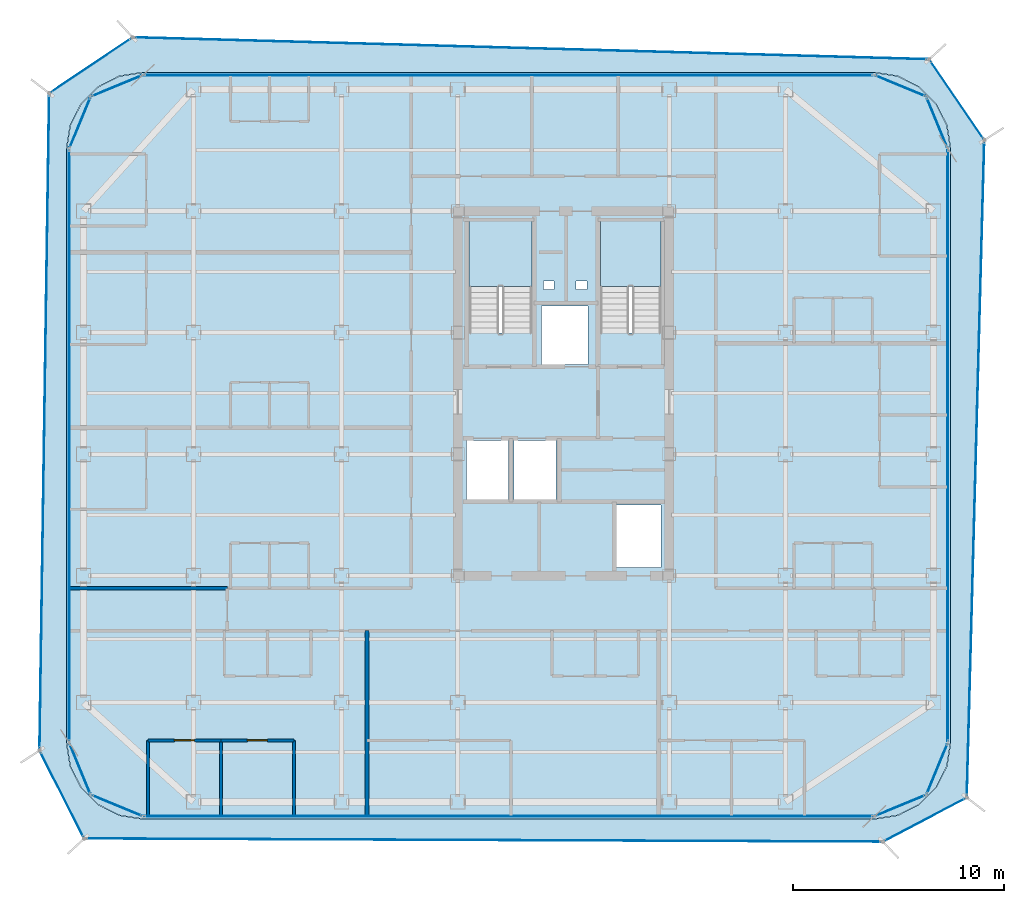
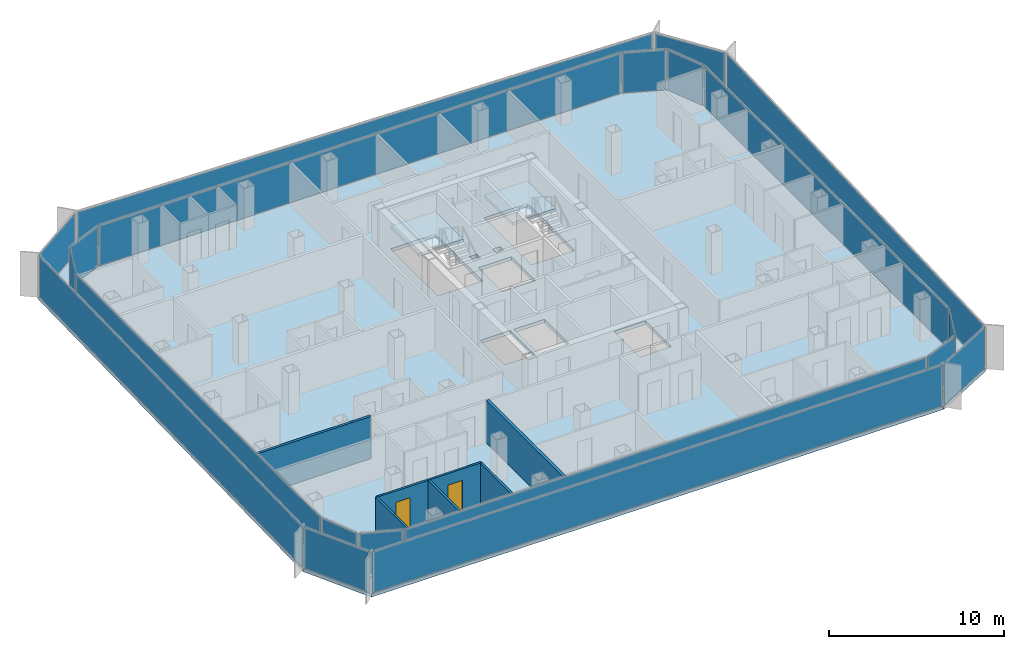
# One storey, part 9 of 16: 20 plates, 7 walls, 4 slabs, 2 doors, 2 openings, 22 elements without a shape of their own.
"""IFC4 building model written with IfcOpenShell, lengths in metres."""

from ifc_helpers import new_model, si_unit, direction, frame, frame_2d, origin, origin_2d, place, context, subcontext, project, spatial, polyline, rectangle, outline, extrude, source, transform, mapped, material, layer, layer_set, type_object, element, fill, aggregate, save


model = new_model("IFC4")

# Units and contexts
model_context = context("Model", 3, precision=1e-05, world=origin(), true_north=direction((0.0, 1.0)))
body_context = subcontext(model_context, "Body", "Model", "MODEL_VIEW")
ifc_project = project(units=[si_unit("LENGTHUNIT", "METRE"), si_unit("AREAUNIT", "SQUARE_METRE"), si_unit("VOLUMEUNIT", "CUBIC_METRE"), si_unit("PLANEANGLEUNIT", "RADIAN"), si_unit("MASSUNIT", "GRAM", prefix="KILO")], contexts=[model_context])

# Site, building, storey
site_placement = place(None, origin())
site = spatial("IfcSite", under=ifc_project, at=site_placement, CompositionType="ELEMENT")
building_placement = place(site_placement, origin())
building = spatial("IfcBuilding", under=site, at=building_placement, Name="Kolveth Station Tower", CompositionType="ELEMENT")
storey_placement = place(building_placement, frame((0.0, 0.0, 159.300048828125)))
storey = spatial("IfcBuildingStorey", under=building, at=storey_placement, Name="L44", CompositionType="ELEMENT", Elevation=159.300048828125)

# Slab
ifc_material_1 = material(Name="Concrete C40/50", Category="concrete")
ifc_layer_1 = layer(ifc_material_1, 0.25)
ifc_layer_set_1 = layer_set([ifc_layer_1], Name="Concrete C40/50")
slab_type_1 = type_object("IfcSlabType", Name="Slab_SF-250", PredefinedType="FLOOR", material=ifc_layer_set_1)
slab_1_placement = place(storey_placement, frame((0.0, 0.0, -0.25)))
element("IfcSlab", 1, at=slab_1_placement, inside=storey, type_object=slab_type_1, Name="L44 Tower Structural Floor Slab", PredefinedType="FLOOR", context=body_context, shape_type="SweptSolid", body=[
    extrude(outline(polyline([(38.199951171875, 0.0), (39.3125, 0.17626953125), (40.31591796875, 0.6875), (41.112548828125, 1.48388671875), (41.623779296875, 2.487548828125), (41.800048828125, 3.60009765625), (41.800048828125, 31.699951171875), (41.623779296875, 32.8125), (41.112548828125, 33.81591796875), (40.31591796875, 34.612548828125), (39.3125, 35.123779296875), (38.199951171875, 35.300048828125), (3.60009765625, 35.300048828125), (2.487548828125, 35.123779296875), (1.48388671875, 34.612548828125), (0.6875, 33.81591796875), (0.17626953125, 32.8125), (0.0, 31.699951171875), (0.0, 3.60009765625), (0.17626953125, 2.487548828125), (0.6875, 1.48388671875), (1.48388671875, 0.6875), (2.487548828125, 0.17626953125), (3.60009765625, 0.0), (38.199951171875, 0.0)]), holes=[polyline([(19.0400390625, 22.985107421875), (22.0, 22.985107421875), (22.0, 28.39990234375), (19.0400390625, 28.39990234375), (19.0400390625, 22.985107421875)]), polyline([(25.239990234375, 22.985107421875), (28.10009765625, 22.985107421875), (28.10009765625, 28.39990234375), (25.239990234375, 28.39990234375), (25.239990234375, 22.985107421875)]), polyline([(18.89990234375, 15.10009765625), (20.89990234375, 15.10009765625), (20.89990234375, 17.89990234375), (18.89990234375, 17.89990234375), (18.89990234375, 15.10009765625)]), polyline([(21.14990234375, 15.10009765625), (23.14990234375, 15.10009765625), (23.14990234375, 17.89990234375), (21.14990234375, 17.89990234375), (21.14990234375, 15.10009765625)]), polyline([(22.449951171875, 21.5), (24.64990234375, 21.5), (24.64990234375, 24.25), (22.449951171875, 24.25), (22.449951171875, 21.5)]), polyline([(26.0, 11.89990234375), (28.10009765625, 11.89990234375), (28.10009765625, 14.85009765625), (26.0, 14.85009765625), (26.0, 11.89990234375)]), polyline([(22.550048828125, 25.050048828125), (23.050048828125, 25.050048828125), (23.050048828125, 25.449951171875), (22.550048828125, 25.449951171875), (22.550048828125, 25.050048828125)]), polyline([(24.10009765625, 25.050048828125), (24.60009765625, 25.050048828125), (24.60009765625, 25.449951171875), (24.10009765625, 25.449951171875), (24.10009765625, 25.050048828125)])]), origin(), (0.0, 0.0, 1.0), 0.25),
])

# Stair, slab
stair_type_1 = type_object("IfcStairType", Name="Stair_ST2", PredefinedType="HALF_TURN_STAIR", material=ifc_material_1)
stair_1_placement = place(storey_placement, origin())
stair_1 = element("IfcStair", 2, at=stair_1_placement, inside=storey, type_object=stair_type_1, Name="L44 Tower Exit Stair ST2", PredefinedType="HALF_TURN_STAIR")
ifc_layer_2 = layer(ifc_material_1, 0.18994140625)
ifc_layer_set_2 = layer_set([ifc_layer_2], Name="Concrete C40/50")
slab_type_2 = type_object("IfcSlabType", Name="Slab_SL-190", PredefinedType="LANDING", material=ifc_layer_set_2)
slab_2_placement = place(storey_placement, frame((0.0, 0.0, 1.39990234375)))
slab_2 = element("IfcSlab", 3, at=slab_2_placement, type_object=slab_type_2, Name="ST2 landing 1", PredefinedType="LANDING", context=body_context, shape_type="SweptSolid", body=[
    extrude(outline(polyline([(28.10009765625, 25.18994140625), (28.10009765625, 28.39990234375), (25.239990234375, 28.39990234375), (25.239990234375, 25.18994140625), (28.10009765625, 25.18994140625)])), origin(), (0.0, 0.0, 1.0), 0.199951171875),
])
aggregate(stair_1, [slab_2])

stair_type_2 = type_object("IfcStairType", Name="Stair_ST1", PredefinedType="HALF_TURN_STAIR", material=ifc_material_1)
stair_2_placement = place(storey_placement, origin())
stair_2 = element("IfcStair", 4, at=stair_2_placement, inside=storey, type_object=stair_type_2, Name="L44 Tower Exit Stair ST1", PredefinedType="HALF_TURN_STAIR")
ifc_layer_3 = layer(ifc_material_1, 0.205078125)
ifc_layer_set_3 = layer_set([ifc_layer_3], Name="Concrete C40/50")
slab_type_3 = type_object("IfcSlabType", Name="Slab_SL-205", PredefinedType="LANDING", material=ifc_layer_set_3)
slab_3_placement = place(storey_placement, frame((0.0, 0.0, 1.39990234375)))
slab_3 = element("IfcSlab", 5, at=slab_3_placement, type_object=slab_type_3, Name="ST1 landing 1", PredefinedType="LANDING", context=body_context, shape_type="SweptSolid", body=[
    extrude(outline(polyline([(22.0, 25.18994140625), (22.0, 28.39990234375), (19.0400390625, 28.39990234375), (19.0400390625, 25.18994140625), (22.0, 25.18994140625)])), origin(), (0.0, 0.0, 1.0), 0.199951171875),
])
aggregate(stair_2, [slab_3])

# Slab
ifc_layer_4 = layer(ifc_material_1, 0.2099609375)
ifc_layer_set_4 = layer_set([ifc_layer_4], Name="Concrete C40/50")
slab_type_4 = type_object("IfcSlabType", Name="Slab_ST-210", PredefinedType="FLOOR", material=ifc_layer_set_4)
slab_4_placement = place(storey_placement, frame((0.0, 0.0, -0.2099609375)))
element("IfcSlab", 6, at=slab_4_placement, inside=storey, type_object=slab_type_4, Name="L44 Double-Skin Cavity Structural Ledger Ring", PredefinedType="FLOOR", context=body_context, shape_type="SweptSolid", body=[
    extrude(outline(polyline([(0.830810546875, -0.93017578125), (-1.282470703125, 3.235595703125), (-0.82470703125, 34.322509765625), (3.119384765625, 36.966064453125), (40.796142578125, 35.927001953125), (43.40625, 32.104736328125), (42.577392578125, 1.004638671875), (38.6083984375, -1.081298828125), (0.830810546875, -0.93017578125)]), holes=[polyline([(38.202392578125, -0.014892578125), (39.314697265625, 0.161376953125), (39.3193359375, 0.162841796875), (40.32275390625, 0.674072265625), (40.32666015625, 0.677001953125), (41.123046875, 1.473388671875), (41.1259765625, 1.477294921875), (41.63720703125, 2.480712890625), (41.638671875, 2.485107421875), (41.814697265625, 3.59765625), (41.81494140625, 3.60009765625), (41.81494140625, 31.699951171875), (41.814697265625, 31.702392578125), (41.638671875, 32.814697265625), (41.63720703125, 32.8193359375), (41.1259765625, 33.82275390625), (41.123046875, 33.82666015625), (40.32666015625, 34.623046875), (40.32275390625, 34.6259765625), (39.3193359375, 35.13720703125), (39.314697265625, 35.138671875), (38.202392578125, 35.314697265625), (38.199951171875, 35.31494140625), (3.60009765625, 35.31494140625), (3.59765625, 35.314697265625), (2.485107421875, 35.138671875), (2.480712890625, 35.13720703125), (1.477294921875, 34.6259765625), (1.473388671875, 34.623046875), (0.677001953125, 33.82666015625), (0.674072265625, 33.82275390625), (0.162841796875, 32.8193359375), (0.161376953125, 32.814697265625), (-0.014892578125, 31.702392578125), (-0.014892578125, 31.699951171875), (-0.014892578125, 3.60009765625), (-0.014892578125, 3.59765625), (0.161376953125, 2.485107421875), (0.162841796875, 2.480712890625), (0.674072265625, 1.477294921875), (0.677001953125, 1.473388671875), (1.473388671875, 0.677001953125), (1.477294921875, 0.674072265625), (2.480712890625, 0.162841796875), (2.485107421875, 0.161376953125), (3.59765625, -0.014892578125), (3.60009765625, -0.014892578125), (38.199951171875, -0.014892578125), (38.202392578125, -0.014892578125)])]), origin(), (0.0, 0.0, 1.0), 0.2099609375),
])

# Curtain wall, plate
ifc_material_2 = material(Name="Aluminium 6063-T6 and low-E dark glass", Category="aluminium")
ifc_layer_5 = layer(ifc_material_2, 0.18994140625)
ifc_layer_set_5 = layer_set([ifc_layer_5], Name="Aluminium 6063-T6 and low-E dark glass")
curtain_wall_type_1 = type_object("IfcCurtainWallType", Name="CurtainWall_CW-Z2", PredefinedType="NOTDEFINED", material=ifc_layer_set_5)
curtain_wall_1_placement = place(storey_placement, origin())
curtain_wall_1 = element("IfcCurtainWall", 7, at=curtain_wall_1_placement, inside=storey, type_object=curtain_wall_type_1, Name="L44 Inner Thermal Curtain Wall 1", PredefinedType="NOTDEFINED")
ifc_material_3 = material(Name="Architectural low-E dark glass", Category="glass")
ifc_layer_6 = layer(ifc_material_3, 0.0380859375)
ifc_layer_set_6 = layer_set([ifc_layer_6], Name="Architectural low-E dark glass")
plate_type_1 = type_object("IfcPlateType", Name="Panel_GL2", PredefinedType="CURTAIN_PANEL", material=ifc_layer_set_6)
shared_shape_1 = source(origin(), body_context, "Body", "SweptSolid", [
    extrude(rectangle(XDim=2.517578125, YDim=0.0380859375, at=origin_2d()), origin(), (0.0, 0.0, 1.0), 2.803955078125),
])
plate_1_placement = place(storey_placement, frame((39.430419921875, 0.629638671875, 0.07275390625), z_axis=(0.0, 0.0, 1.0), x_axis=(0.923873600544, 0.382697753087, 0.0)))
plate_1 = element("IfcPlate", 8, at=plate_1_placement, type_object=plate_type_1, Name="CW-Z2 panel 1.1", PredefinedType="CURTAIN_PANEL", context=body_context, shape_type="MappedRepresentation", body=[
    mapped(shared_shape_1, transform((0.0, 0.0, 0.0), x_axis=(1.0, 0.0, 0.0), y_axis=(0.0, 1.0, 0.0), z_axis=(0.0, 0.0, 1.0), scale=1.0)),
])
aggregate(curtain_wall_1, [plate_1])

curtain_wall_2_placement = place(storey_placement, origin())
curtain_wall_2 = element("IfcCurtainWall", 9, at=curtain_wall_2_placement, inside=storey, type_object=curtain_wall_type_1, Name="L44 Inner Thermal Curtain Wall 2", PredefinedType="NOTDEFINED")
plate_2_placement = place(storey_placement, frame((41.17041015625, 2.36962890625, 0.07275390625), z_axis=(0.0, 0.0, 1.0), x_axis=(0.382697753087, 0.923873600544, 0.0)))
plate_2 = element("IfcPlate", 10, at=plate_2_placement, type_object=plate_type_1, Name="CW-Z2 panel 1.1", PredefinedType="CURTAIN_PANEL", context=body_context, shape_type="MappedRepresentation", body=[
    mapped(shared_shape_1, transform((0.0, 0.0, 0.0), x_axis=(1.0, 0.0, 0.0), y_axis=(0.0, 1.0, 0.0), z_axis=(0.0, 0.0, 1.0), scale=1.0)),
])
aggregate(curtain_wall_2, [plate_2])

curtain_wall_3_placement = place(storey_placement, origin())
curtain_wall_3 = element("IfcCurtainWall", 11, at=curtain_wall_3_placement, inside=storey, type_object=curtain_wall_type_1, Name="L44 Inner Thermal Curtain Wall 4", PredefinedType="NOTDEFINED")
plate_3_placement = place(storey_placement, frame((41.17041015625, 32.930419921875, 0.07275390625), z_axis=(0.0, 0.0, 1.0), x_axis=(-0.382697753087, 0.923873600544, 0.0)))
plate_3 = element("IfcPlate", 12, at=plate_3_placement, type_object=plate_type_1, Name="CW-Z2 panel 1.1", PredefinedType="CURTAIN_PANEL", context=body_context, shape_type="MappedRepresentation", body=[
    mapped(shared_shape_1, transform((0.0, 0.0, 0.0), x_axis=(1.0, 0.0, 0.0), y_axis=(0.0, 1.0, 0.0), z_axis=(0.0, 0.0, 1.0), scale=1.0)),
])
aggregate(curtain_wall_3, [plate_3])

curtain_wall_4_placement = place(storey_placement, origin())
curtain_wall_4 = element("IfcCurtainWall", 13, at=curtain_wall_4_placement, inside=storey, type_object=curtain_wall_type_1, Name="L44 Inner Thermal Curtain Wall 5", PredefinedType="NOTDEFINED")
plate_4_placement = place(storey_placement, frame((39.430419921875, 34.67041015625, 0.07275390625), z_axis=(0.0, 0.0, 1.0), x_axis=(-0.923873600544, 0.382697753087, 0.0)))
plate_4 = element("IfcPlate", 14, at=plate_4_placement, type_object=plate_type_1, Name="CW-Z2 panel 1.1", PredefinedType="CURTAIN_PANEL", context=body_context, shape_type="MappedRepresentation", body=[
    mapped(shared_shape_1, transform((0.0, 0.0, 0.0), x_axis=(1.0, 0.0, 0.0), y_axis=(0.0, 1.0, 0.0), z_axis=(0.0, 0.0, 1.0), scale=1.0)),
])
aggregate(curtain_wall_4, [plate_4])

curtain_wall_5_placement = place(storey_placement, origin())
curtain_wall_5 = element("IfcCurtainWall", 15, at=curtain_wall_5_placement, inside=storey, type_object=curtain_wall_type_1, Name="L44 Inner Thermal Curtain Wall 7", PredefinedType="NOTDEFINED")
plate_5_placement = place(storey_placement, frame((2.36962890625, 34.67041015625, 0.07275390625), z_axis=(0.0, 0.0, 1.0), x_axis=(-0.923873600544, -0.382697753087, 0.0)))
plate_5 = element("IfcPlate", 16, at=plate_5_placement, type_object=plate_type_1, Name="CW-Z2 panel 1.1", PredefinedType="CURTAIN_PANEL", context=body_context, shape_type="MappedRepresentation", body=[
    mapped(shared_shape_1, transform((0.0, 0.0, 0.0), x_axis=(1.0, 0.0, 0.0), y_axis=(0.0, 1.0, 0.0), z_axis=(0.0, 0.0, 1.0), scale=1.0)),
])
aggregate(curtain_wall_5, [plate_5])

curtain_wall_6_placement = place(storey_placement, origin())
curtain_wall_6 = element("IfcCurtainWall", 17, at=curtain_wall_6_placement, inside=storey, type_object=curtain_wall_type_1, Name="L44 Inner Thermal Curtain Wall 8", PredefinedType="NOTDEFINED")
plate_6_placement = place(storey_placement, frame((0.629638671875, 32.930419921875, 0.07275390625), z_axis=(0.0, 0.0, 1.0), x_axis=(-0.382697753087, -0.923873600544, 0.0)))
plate_6 = element("IfcPlate", 18, at=plate_6_placement, type_object=plate_type_1, Name="CW-Z2 panel 1.1", PredefinedType="CURTAIN_PANEL", context=body_context, shape_type="MappedRepresentation", body=[
    mapped(shared_shape_1, transform((0.0, 0.0, 0.0), x_axis=(1.0, 0.0, 0.0), y_axis=(0.0, 1.0, 0.0), z_axis=(0.0, 0.0, 1.0), scale=1.0)),
])
aggregate(curtain_wall_6, [plate_6])

curtain_wall_7_placement = place(storey_placement, origin())
curtain_wall_7 = element("IfcCurtainWall", 19, at=curtain_wall_7_placement, inside=storey, type_object=curtain_wall_type_1, Name="L44 Inner Thermal Curtain Wall 10", PredefinedType="NOTDEFINED")
plate_7_placement = place(storey_placement, frame((0.629638671875, 2.36962890625, 0.07275390625), z_axis=(0.0, 0.0, 1.0), x_axis=(0.382697753087, -0.923873600544, 0.0)))
plate_7 = element("IfcPlate", 20, at=plate_7_placement, type_object=plate_type_1, Name="CW-Z2 panel 1.1", PredefinedType="CURTAIN_PANEL", context=body_context, shape_type="MappedRepresentation", body=[
    mapped(shared_shape_1, transform((0.0, 0.0, 0.0), x_axis=(1.0, 0.0, 0.0), y_axis=(0.0, 1.0, 0.0), z_axis=(0.0, 0.0, 1.0), scale=1.0)),
])
aggregate(curtain_wall_7, [plate_7])

curtain_wall_8_placement = place(storey_placement, origin())
curtain_wall_8 = element("IfcCurtainWall", 21, at=curtain_wall_8_placement, inside=storey, type_object=curtain_wall_type_1, Name="L44 Inner Thermal Curtain Wall 11", PredefinedType="NOTDEFINED")
plate_8_placement = place(storey_placement, frame((2.36962890625, 0.629638671875, 0.07275390625), z_axis=(0.0, 0.0, 1.0), x_axis=(0.923873600544, -0.382697753087, 0.0)))
plate_8 = element("IfcPlate", 22, at=plate_8_placement, type_object=plate_type_1, Name="CW-Z2 panel 1.1", PredefinedType="CURTAIN_PANEL", context=body_context, shape_type="MappedRepresentation", body=[
    mapped(shared_shape_1, transform((0.0, 0.0, 0.0), x_axis=(1.0, 0.0, 0.0), y_axis=(0.0, 1.0, 0.0), z_axis=(0.0, 0.0, 1.0), scale=1.0)),
])
aggregate(curtain_wall_8, [plate_8])

curtain_wall_9_placement = place(storey_placement, origin())
curtain_wall_9 = element("IfcCurtainWall", 23, at=curtain_wall_9_placement, inside=storey, type_object=curtain_wall_type_1, Name="L44 Inner Thermal Curtain Wall 3", PredefinedType="NOTDEFINED")
shared_shape_2 = source(origin(), body_context, "Body", "SweptSolid", [
    extrude(rectangle(XDim=27.9541015625, YDim=0.0380859375, at=origin_2d()), origin(), (0.0, 0.0, 1.0), 2.803955078125),
])
plate_9_placement = place(storey_placement, frame((41.679931640625, 17.64990234375, 0.07275390625), z_axis=(0.0, 0.0, 1.0), x_axis=(0.0, 1.0, 0.0)))
plate_9 = element("IfcPlate", 24, at=plate_9_placement, type_object=plate_type_1, Name="CW-Z2 panel 1.1", PredefinedType="CURTAIN_PANEL", context=body_context, shape_type="MappedRepresentation", body=[
    mapped(shared_shape_2, transform((0.0, 0.0, 0.0), x_axis=(1.0, 0.0, 0.0), y_axis=(0.0, 1.0, 0.0), z_axis=(0.0, 0.0, 1.0), scale=1.0)),
])
aggregate(curtain_wall_9, [plate_9])

curtain_wall_10_placement = place(storey_placement, origin())
curtain_wall_10 = element("IfcCurtainWall", 25, at=curtain_wall_10_placement, inside=storey, type_object=curtain_wall_type_1, Name="L44 Inner Thermal Curtain Wall 9", PredefinedType="NOTDEFINED")
plate_10_placement = place(storey_placement, frame((0.1201171875, 17.64990234375, 0.07275390625), z_axis=(0.0, 0.0, 1.0), x_axis=(0.0, -1.0, 0.0)))
plate_10 = element("IfcPlate", 26, at=plate_10_placement, type_object=plate_type_1, Name="CW-Z2 panel 1.1", PredefinedType="CURTAIN_PANEL", context=body_context, shape_type="MappedRepresentation", body=[
    mapped(shared_shape_2, transform((0.0, 0.0, 0.0), x_axis=(1.0, 0.0, 0.0), y_axis=(0.0, 1.0, 0.0), z_axis=(0.0, 0.0, 1.0), scale=1.0)),
])
aggregate(curtain_wall_10, [plate_10])

curtain_wall_11_placement = place(storey_placement, origin())
curtain_wall_11 = element("IfcCurtainWall", 27, at=curtain_wall_11_placement, inside=storey, type_object=curtain_wall_type_1, Name="L44 Inner Thermal Curtain Wall 6", PredefinedType="NOTDEFINED")
shared_shape_3 = source(origin(), body_context, "Body", "SweptSolid", [
    extrude(rectangle(XDim=34.4541015625, YDim=0.0380859375, at=origin_2d()), origin(), (0.0, 0.0, 1.0), 2.803955078125),
])
plate_11_placement = place(storey_placement, frame((20.89990234375, 35.179931640625, 0.07275390625), z_axis=(0.0, 0.0, 1.0), x_axis=(-1.0, 0.0, 0.0)))
plate_11 = element("IfcPlate", 28, at=plate_11_placement, type_object=plate_type_1, Name="CW-Z2 panel 1.1", PredefinedType="CURTAIN_PANEL", context=body_context, shape_type="MappedRepresentation", body=[
    mapped(shared_shape_3, transform((0.0, 0.0, 0.0), x_axis=(1.0, 0.0, 0.0), y_axis=(0.0, 1.0, 0.0), z_axis=(0.0, 0.0, 1.0), scale=1.0)),
])
aggregate(curtain_wall_11, [plate_11])

curtain_wall_12_placement = place(storey_placement, origin())
curtain_wall_12 = element("IfcCurtainWall", 29, at=curtain_wall_12_placement, inside=storey, type_object=curtain_wall_type_1, Name="L44 Inner Thermal Curtain Wall 12", PredefinedType="NOTDEFINED")
plate_12_placement = place(storey_placement, frame((20.89990234375, 0.1201171875, 0.07275390625), z_axis=(0.0, 0.0, 1.0), x_axis=(1.0, 0.0, 0.0)))
plate_12 = element("IfcPlate", 30, at=plate_12_placement, type_object=plate_type_1, Name="CW-Z2 panel 1.1", PredefinedType="CURTAIN_PANEL", context=body_context, shape_type="MappedRepresentation", body=[
    mapped(shared_shape_3, transform((0.0, 0.0, 0.0), x_axis=(1.0, 0.0, 0.0), y_axis=(0.0, 1.0, 0.0), z_axis=(0.0, 0.0, 1.0), scale=1.0)),
])
aggregate(curtain_wall_12, [plate_12])

ifc_material_4 = material(Name="Black anodized aluminium 6063-T6 and dark solar glass", Category="aluminium")
ifc_layer_7 = layer(ifc_material_4, 0.159912109375)
ifc_layer_set_7 = layer_set([ifc_layer_7], Name="Black anodized aluminium 6063-T6 and dark solar glass")
curtain_wall_type_2 = type_object("IfcCurtainWallType", Name="OUTER SKIN CW-OS", PredefinedType="NOTDEFINED", material=ifc_layer_set_7)
curtain_wall_13_placement = place(storey_placement, origin())
curtain_wall_13 = element("IfcCurtainWall", 31, at=curtain_wall_13_placement, inside=storey, type_object=curtain_wall_type_2, Name="L44 Outer Ventilated Skin Curtain Wall 1", PredefinedType="NOTDEFINED")
ifc_layer_8 = layer(ifc_material_3, 0.028076171875)
ifc_layer_set_8 = layer_set([ifc_layer_8], Name="Architectural low-E dark glass")
plate_type_2 = type_object("IfcPlateType", Name="Panel_GL-OS", PredefinedType="CURTAIN_PANEL", material=ifc_layer_set_8)
shared_shape_4 = source(origin(), body_context, "Body", "SweptSolid", [
    extrude(rectangle(XDim=4.31787109375, YDim=0.028076171875, at=origin_2d()), origin(), (0.0, 0.0, 1.0), 2.843994140625),
])
plate_13_placement = place(storey_placement, frame((40.593017578125, -0.038330078125, 0.07275390625), z_axis=(0.0, 0.0, 1.0), x_axis=(0.885193820291, 0.465222420481, 0.0)))
plate_13 = element("IfcPlate", 32, at=plate_13_placement, type_object=plate_type_2, Name="CW-OS panel 1.1", PredefinedType="CURTAIN_PANEL", context=body_context, shape_type="MappedRepresentation", body=[
    mapped(shared_shape_4, transform((0.0, 0.0, 0.0), x_axis=(1.0, 0.0, 0.0), y_axis=(0.0, 1.0, 0.0), z_axis=(0.0, 0.0, 1.0), scale=1.0)),
])
aggregate(curtain_wall_13, [plate_13])

curtain_wall_14_placement = place(storey_placement, origin())
curtain_wall_14 = element("IfcCurtainWall", 33, at=curtain_wall_14_placement, inside=storey, type_object=curtain_wall_type_2, Name="L44 Outer Ventilated Skin Curtain Wall 2", PredefinedType="NOTDEFINED")
shared_shape_5 = source(origin(), body_context, "Body", "SweptSolid", [
    extrude(rectangle(XDim=30.9453125, YDim=0.028076171875, at=origin_2d()), origin(), (0.0, 0.0, 1.0), 2.843994140625),
])
plate_14_placement = place(storey_placement, frame((42.991943359375, 16.5546875, 0.07275390625), z_axis=(0.0, 0.0, 1.0), x_axis=(0.026636676342, 0.999645180788, 0.0)))
plate_14 = element("IfcPlate", 34, at=plate_14_placement, type_object=plate_type_2, Name="CW-OS panel 1.1", PredefinedType="CURTAIN_PANEL", context=body_context, shape_type="MappedRepresentation", body=[
    mapped(shared_shape_5, transform((0.0, 0.0, 0.0), x_axis=(1.0, 0.0, 0.0), y_axis=(0.0, 1.0, 0.0), z_axis=(0.0, 0.0, 1.0), scale=1.0)),
])
aggregate(curtain_wall_14, [plate_14])

curtain_wall_15_placement = place(storey_placement, origin())
curtain_wall_15 = element("IfcCurtainWall", 35, at=curtain_wall_15_placement, inside=storey, type_object=curtain_wall_type_2, Name="L44 Outer Ventilated Skin Curtain Wall 3", PredefinedType="NOTDEFINED")
shared_shape_6 = source(origin(), body_context, "Body", "SweptSolid", [
    extrude(rectangle(XDim=4.46240234375, YDim=0.028076171875, at=origin_2d()), origin(), (0.0, 0.0, 1.0), 2.843994140625),
])
plate_15_placement = place(storey_placement, frame((42.10107421875, 34.015869140625, 0.07275390625), z_axis=(0.0, 0.0, 1.0), x_axis=(-0.563934693309, 0.825819388052, 0.0)))
plate_15 = element("IfcPlate", 36, at=plate_15_placement, type_object=plate_type_2, Name="CW-OS panel 1.1", PredefinedType="CURTAIN_PANEL", context=body_context, shape_type="MappedRepresentation", body=[
    mapped(shared_shape_6, transform((0.0, 0.0, 0.0), x_axis=(1.0, 0.0, 0.0), y_axis=(0.0, 1.0, 0.0), z_axis=(0.0, 0.0, 1.0), scale=1.0)),
])
aggregate(curtain_wall_15, [plate_15])

curtain_wall_16_placement = place(storey_placement, origin())
curtain_wall_16 = element("IfcCurtainWall", 37, at=curtain_wall_16_placement, inside=storey, type_object=curtain_wall_type_2, Name="L44 Outer Ventilated Skin Curtain Wall 4", PredefinedType="NOTDEFINED")
shared_shape_7 = source(origin(), body_context, "Body", "SweptSolid", [
    extrude(rectangle(XDim=37.52490234375, YDim=0.028076171875, at=origin_2d()), origin(), (0.0, 0.0, 1.0), 2.843994140625),
])
plate_16_placement = place(storey_placement, frame((21.957763671875, 36.446533203125, 0.07275390625), z_axis=(0.0, 0.0, 1.0), x_axis=(-0.999619905736, 0.027568896541, 0.0)))
plate_16 = element("IfcPlate", 38, at=plate_16_placement, type_object=plate_type_2, Name="CW-OS panel 1.1", PredefinedType="CURTAIN_PANEL", context=body_context, shape_type="MappedRepresentation", body=[
    mapped(shared_shape_7, transform((0.0, 0.0, 0.0), x_axis=(1.0, 0.0, 0.0), y_axis=(0.0, 1.0, 0.0), z_axis=(0.0, 0.0, 1.0), scale=1.0)),
])
aggregate(curtain_wall_16, [plate_16])

curtain_wall_17_placement = place(storey_placement, origin())
curtain_wall_17 = element("IfcCurtainWall", 39, at=curtain_wall_17_placement, inside=storey, type_object=curtain_wall_type_2, Name="L44 Outer Ventilated Skin Curtain Wall 5", PredefinedType="NOTDEFINED")
shared_shape_8 = source(origin(), body_context, "Body", "SweptSolid", [
    extrude(rectangle(XDim=4.582275390625, YDim=0.028076171875, at=origin_2d()), origin(), (0.0, 0.0, 1.0), 2.843994140625),
])
plate_17_placement = place(storey_placement, frame((1.147216796875, 35.644287109375, 0.07275390625), z_axis=(0.0, 0.0, 1.0), x_axis=(-0.830673940465, -0.556759198068, 0.0)))
plate_17 = element("IfcPlate", 40, at=plate_17_placement, type_object=plate_type_2, Name="CW-OS panel 1.1", PredefinedType="CURTAIN_PANEL", context=body_context, shape_type="MappedRepresentation", body=[
    mapped(shared_shape_8, transform((0.0, 0.0, 0.0), x_axis=(1.0, 0.0, 0.0), y_axis=(0.0, 1.0, 0.0), z_axis=(0.0, 0.0, 1.0), scale=1.0)),
])
aggregate(curtain_wall_17, [plate_17])

curtain_wall_18_placement = place(storey_placement, origin())
curtain_wall_18 = element("IfcCurtainWall", 41, at=curtain_wall_18_placement, inside=storey, type_object=curtain_wall_type_2, Name="L44 Outer Ventilated Skin Curtain Wall 6", PredefinedType="NOTDEFINED")
shared_shape_9 = source(origin(), body_context, "Body", "SweptSolid", [
    extrude(rectangle(XDim=30.92431640625, YDim=0.028076171875, at=origin_2d()), origin(), (0.0, 0.0, 1.0), 2.843994140625),
])
plate_18_placement = place(storey_placement, frame((-1.0537109375, 18.779052734375, 0.07275390625), z_axis=(0.0, 0.0, 1.0), x_axis=(-0.014718432254, -0.999891678009, 0.0)))
plate_18 = element("IfcPlate", 42, at=plate_18_placement, type_object=plate_type_2, Name="CW-OS panel 1.1", PredefinedType="CURTAIN_PANEL", context=body_context, shape_type="MappedRepresentation", body=[
    mapped(shared_shape_9, transform((0.0, 0.0, 0.0), x_axis=(1.0, 0.0, 0.0), y_axis=(0.0, 1.0, 0.0), z_axis=(0.0, 0.0, 1.0), scale=1.0)),
])
aggregate(curtain_wall_18, [plate_18])

curtain_wall_19_placement = place(storey_placement, origin())
curtain_wall_19 = element("IfcCurtainWall", 43, at=curtain_wall_19_placement, inside=storey, type_object=curtain_wall_type_2, Name="L44 Outer Ventilated Skin Curtain Wall 7", PredefinedType="NOTDEFINED")
shared_shape_10 = source(origin(), body_context, "Body", "SweptSolid", [
    extrude(rectangle(XDim=4.5048828125, YDim=0.028076171875, at=origin_2d()), origin(), (0.0, 0.0, 1.0), 2.843994140625),
])
plate_19_placement = place(storey_placement, frame((-0.225830078125, 1.15283203125, 0.07275390625), z_axis=(0.0, 0.0, 1.0), x_axis=(0.452404022614, -0.891813097192, 0.0)))
plate_19 = element("IfcPlate", 44, at=plate_19_placement, type_object=plate_type_2, Name="CW-OS panel 1.1", PredefinedType="CURTAIN_PANEL", context=body_context, shape_type="MappedRepresentation", body=[
    mapped(shared_shape_10, transform((0.0, 0.0, 0.0), x_axis=(1.0, 0.0, 0.0), y_axis=(0.0, 1.0, 0.0), z_axis=(0.0, 0.0, 1.0), scale=1.0)),
])
aggregate(curtain_wall_19, [plate_19])

curtain_wall_20_placement = place(storey_placement, origin())
curtain_wall_20 = element("IfcCurtainWall", 45, at=curtain_wall_20_placement, inside=storey, type_object=curtain_wall_type_2, Name="L44 Outer Ventilated Skin Curtain Wall 8", PredefinedType="NOTDEFINED")
shared_shape_11 = source(origin(), body_context, "Body", "SweptSolid", [
    extrude(rectangle(XDim=37.61181640625, YDim=0.028076171875, at=origin_2d()), origin(), (0.0, 0.0, 1.0), 2.843994140625),
])
plate_20_placement = place(storey_placement, frame((19.719482421875, -1.005859375, 0.07275390625), z_axis=(0.0, 0.0, 1.0), x_axis=(0.999991980008, -0.004004986729, 0.0)))
plate_20 = element("IfcPlate", 46, at=plate_20_placement, type_object=plate_type_2, Name="CW-OS panel 1.1", PredefinedType="CURTAIN_PANEL", context=body_context, shape_type="MappedRepresentation", body=[
    mapped(shared_shape_11, transform((0.0, 0.0, 0.0), x_axis=(1.0, 0.0, 0.0), y_axis=(0.0, 1.0, 0.0), z_axis=(0.0, 0.0, 1.0), scale=1.0)),
])
aggregate(curtain_wall_20, [plate_20])

# Walls
ifc_material_5 = material(Name="Moisture-resistant gypsum partition")
ifc_layer_9 = layer(ifc_material_5, 0.135009765625)
ifc_layer_set_9 = layer_set([ifc_layer_9], Name="Moisture-resistant gypsum partition")
wall_type_1 = type_object("IfcWallType", Name="Wall_IW-135", PredefinedType="PARTITIONING", material=ifc_layer_set_9)
for number, where, z_axis, x_axis, name in (
    (47, (3.85009765625, 0.159912109375, 0.0), (0.0, 0.0, 1.0), (0.0, 1.0, 0.0), "L44 Partition Wall WL-L44-A1-BDV0"),
    (48, (10.75, 0.159912109375, 0.0), (0.0, 0.0, 1.0), (0.0, 1.0, 0.0), "L44 Partition Wall WL-L44-A1-BDVE"),
):
    element("IfcWall", number, at=place(storey_placement, frame(where, z_axis=z_axis, x_axis=x_axis)), inside=storey, type_object=wall_type_1, Name=name, PredefinedType="PARTITIONING", context=body_context, shape_type="SweptSolid", body=[
        extrude(rectangle(XDim=3.550048828125, YDim=0.135009765625, at=frame_2d((1.77490234375, 0.0))), origin(), (0.0, 0.0, 1.0), 2.949951171875),
    ])

# Wall, opening, door
wall_1_placement = place(storey_placement, frame((3.85009765625, 3.7099609375, 0.0), z_axis=(0.0, 0.0, 1.0), x_axis=(1.0, 0.0, 0.0)))
wall_1 = element("IfcWall", 49, at=wall_1_placement, inside=storey, type_object=wall_type_1, Name="L44 Partition Wall WL-L44-A1-BDH1", PredefinedType="PARTITIONING", context=body_context, shape_type="SweptSolid", body=[
    extrude(rectangle(XDim=3.449951171875, YDim=0.135009765625, at=frame_2d((1.72509765625, 0.0))), origin(), (0.0, 0.0, 1.0), 2.949951171875),
])
opening_1_placement = place(wall_1_placement, frame((1.2451171875, 0.0, 0.0)))
opening_1 = element("IfcOpeningElement", 50, at=opening_1_placement, cuts=wall_1, Name="Opening ID1", PredefinedType="OPENING", context=body_context, shape_type="SweptSolid", body=[
    extrude(rectangle(XDim=0.949951171875, YDim=2.14990234375, at=frame_2d((0.47509765625, 1.074951171875))), frame((0.0, 0.077392578125, 0.0), z_axis=(0.0, -1.0, 0.0), x_axis=(1.0, 0.0, 0.0)), (0.0, 0.0, 1.0), 0.155029296875),
])
ifc_material_6 = material(Name="Acoustic hardwood leaf and aluminium frame", Category="wood")
door_type = type_object("IfcDoorType", Name="Door_ID1", OperationType="NOTDEFINED", PredefinedType="DOOR", material=ifc_material_6)
door_1_placement = place(opening_1_placement, frame((0.949951171875, 0.0, 0.0), z_axis=(0.0, 0.0, 1.0), x_axis=(-1.0, 0.0, 0.0)))
door_1 = element("IfcDoor", 51, at=door_1_placement, inside=storey, type_object=door_type, Name="Penthouse Flat L44-A1 Bedroom 1 Door", OperationType="SINGLE_SWING_LEFT", OverallHeight=2.14990234375, OverallWidth=0.949951171875, PredefinedType="DOOR", context=body_context, shape_type="SweptSolid", body=[
    extrude(rectangle(XDim=0.949951171875, YDim=2.14990234375, at=frame_2d((0.47509765625, 1.074951171875))), frame((0.0, 0.02490234375, 0.0), z_axis=(0.0, -1.0, 0.0), x_axis=(1.0, 0.0, 0.0)), (0.0, 0.0, 1.0), 0.050048828125),
])
fill(opening_1, door_1)

wall_2_placement = place(storey_placement, frame((7.300048828125, 3.7099609375, 0.0), z_axis=(0.0, 0.0, 1.0), x_axis=(1.0, 0.0, 0.0)))
wall_2 = element("IfcWall", 52, at=wall_2_placement, inside=storey, type_object=wall_type_1, Name="L44 Partition Wall WL-L44-A1-BDH2", PredefinedType="PARTITIONING", context=body_context, shape_type="SweptSolid", body=[
    extrude(rectangle(XDim=3.449951171875, YDim=0.135009765625, at=frame_2d((1.72509765625, 0.0))), origin(), (0.0, 0.0, 1.0), 2.949951171875),
])
opening_2_placement = place(wall_2_placement, frame((1.2451171875, 0.0, 0.0)))
opening_2 = element("IfcOpeningElement", 53, at=opening_2_placement, cuts=wall_2, Name="Opening ID1", PredefinedType="OPENING", context=body_context, shape_type="SweptSolid", body=[
    extrude(rectangle(XDim=0.949951171875, YDim=2.14990234375, at=frame_2d((0.47509765625, 1.074951171875))), frame((0.0, 0.077392578125, 0.0), z_axis=(0.0, -1.0, 0.0), x_axis=(1.0, 0.0, 0.0)), (0.0, 0.0, 1.0), 0.155029296875),
])
door_2_placement = place(opening_2_placement, frame((0.949951171875, 0.0, 0.0), z_axis=(0.0, 0.0, 1.0), x_axis=(-1.0, 0.0, 0.0)))
door_2 = element("IfcDoor", 54, at=door_2_placement, inside=storey, type_object=door_type, Name="Penthouse Flat L44-A1 Bedroom 2 Door", OperationType="SINGLE_SWING_LEFT", OverallHeight=2.14990234375, OverallWidth=0.949951171875, PredefinedType="DOOR", context=body_context, shape_type="SweptSolid", body=[
    extrude(rectangle(XDim=0.949951171875, YDim=2.14990234375, at=frame_2d((0.47509765625, 1.074951171875))), frame((0.0, 0.02490234375, 0.0), z_axis=(0.0, -1.0, 0.0), x_axis=(1.0, 0.0, 0.0)), (0.0, 0.0, 1.0), 0.050048828125),
])
fill(opening_2, door_2)

# Walls
wall_3_placement = place(storey_placement, frame((7.300048828125, 0.159912109375, 0.0), z_axis=(0.0, 0.0, 1.0), x_axis=(0.0, 1.0, 0.0)))
element("IfcWall", 55, at=wall_3_placement, inside=storey, type_object=wall_type_1, Name="L44 Partition Wall WL-L44-A1-BDV1", PredefinedType="PARTITIONING", context=body_context, shape_type="SweptSolid", body=[
    extrude(rectangle(XDim=3.550048828125, YDim=0.135009765625, at=frame_2d((1.77490234375, 0.0))), origin(), (0.0, 0.0, 1.0), 2.949951171875),
])
ifc_material_7 = material(Name="Acoustic double-stud gypsum partition")
ifc_layer_10 = layer(ifc_material_7, 0.1650390625)
ifc_layer_set_10 = layer_set([ifc_layer_10], Name="Acoustic double-stud gypsum partition")
wall_type_2 = type_object("IfcWallType", Name="Wall_IW-165", PredefinedType="PARTITIONING", material=ifc_layer_set_10)
wall_4_placement = place(storey_placement, frame((0.159912109375, 10.89990234375, 0.0), z_axis=(0.0, 0.0, 1.0), x_axis=(1.0, 0.0, 0.0)))
element("IfcWall", 56, at=wall_4_placement, inside=storey, type_object=wall_type_2, Name="L44 Partition Wall WL-L44-WSTN", PredefinedType="PARTITIONING", context=body_context, shape_type="SweptSolid", body=[
    extrude(rectangle(XDim=7.440185546875, YDim=0.1650390625, at=frame_2d((3.72021484375, 0.0))), origin(), (0.0, 0.0, 1.0), 2.949951171875),
])
ifc_material_8 = material(Name="Acoustic fire-rated gypsum blockwork", Category="masonry")
ifc_layer_11 = layer(ifc_material_8, 0.199951171875)
ifc_layer_set_11 = layer_set([ifc_layer_11], Name="Acoustic fire-rated gypsum blockwork")
wall_type_3 = type_object("IfcWallType", Name="Wall_IW-200", PredefinedType="PARTITIONING", material=ifc_layer_set_11)
wall_5_placement = place(storey_placement, frame((14.199951171875, 0.159912109375, 0.0), z_axis=(0.0, 0.0, 1.0), x_axis=(0.0, 1.0, 0.0)))
element("IfcWall", 57, at=wall_5_placement, inside=storey, type_object=wall_type_3, Name="L44 Partition Wall WL-L44-RSU-1", PredefinedType="PARTITIONING", context=body_context, shape_type="SweptSolid", body=[
    extrude(rectangle(XDim=8.739990234375, YDim=0.199951171875, at=frame_2d((4.3701171875, 0.0))), origin(), (0.0, 0.0, 1.0), 2.949951171875),
])

save(model, "model.ifc")
